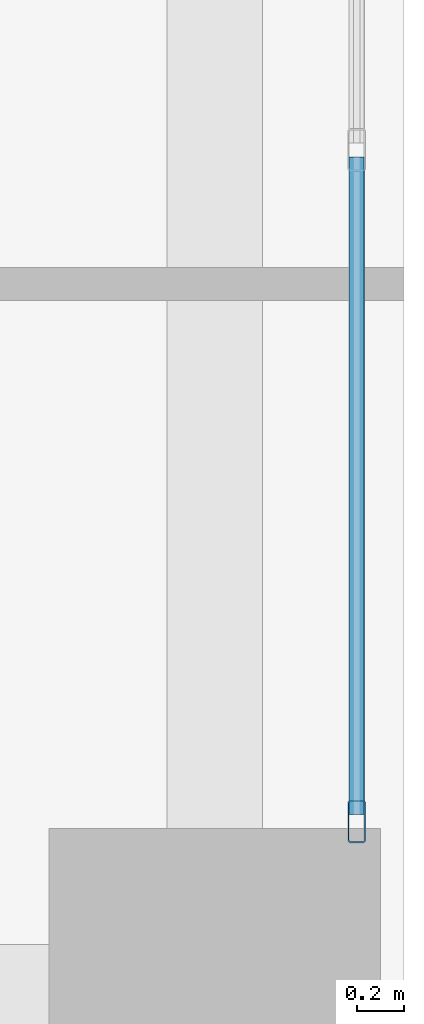
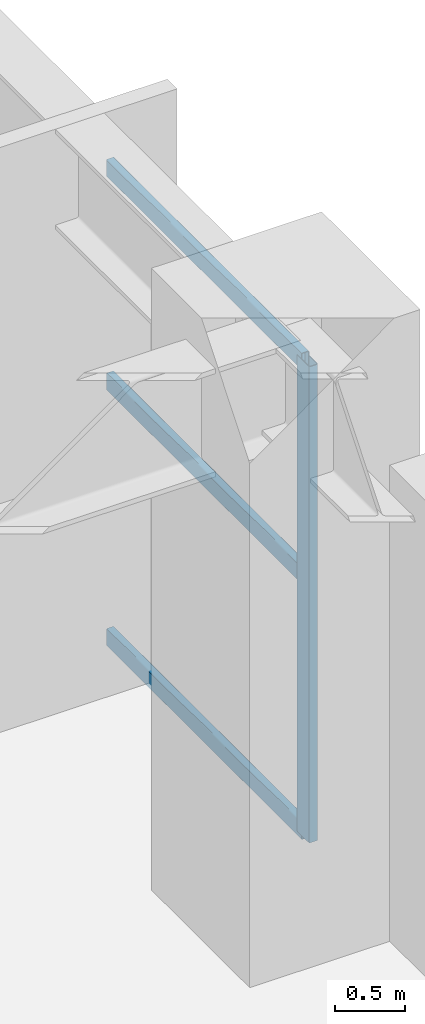
# One storey, part 13 of 28: 4 members, 1 element without a shape of its own.
"""IFC4 building model written with IfcOpenShell, lengths in metres."""

from ifc_helpers import new_model, si_unit, direction, frame, origin, origin_2d, place, context, subcontext, project, spatial, hollow_rectangle, extrude, material, layer, layer_set, material_profile, profile_set, type_object, element, aggregate, save


model = new_model("IFC4")

# Units and contexts
model_context = context("Model", 3, precision=1e-05, world=origin(), true_north=direction((0.0, 1.0)))
body_context = subcontext(model_context, "Body", "Model", "MODEL_VIEW")
ifc_project = project(units=[si_unit("LENGTHUNIT", "METRE"), si_unit("AREAUNIT", "SQUARE_METRE"), si_unit("VOLUMEUNIT", "CUBIC_METRE"), si_unit("PLANEANGLEUNIT", "RADIAN"), si_unit("MASSUNIT", "GRAM", prefix="KILO")], contexts=[model_context])

# Site, building, storey
site_placement = place(None, origin())
site = spatial("IfcSite", under=ifc_project, at=site_placement, CompositionType="ELEMENT")
building_placement = place(site_placement, origin())
building = spatial("IfcBuilding", under=site, at=building_placement, Name="Soratama Intermodal Tower", CompositionType="ELEMENT")
storey_placement = place(building_placement, frame((0.0, 0.0, 6.0)))
storey = spatial("IfcBuildingStorey", under=building, at=storey_placement, Name="L01", CompositionType="ELEMENT", Elevation=6.0)

# Curtain wall, members
ifc_material_1 = material(Name="Double-glazed aluminium curtain wall", Category="aluminium")
ifc_layer = layer(ifc_material_1, 0.159912109375)
ifc_layer_set = layer_set([ifc_layer], Name="Double-glazed aluminium curtain wall")
curtain_wall_type = type_object("IfcCurtainWallType", Name="CW-SYS-1", PredefinedType="NOTDEFINED", material=ifc_layer_set)
curtain_wall_placement = place(storey_placement, origin())
curtain_wall = element("IfcCurtainWall", 1, at=curtain_wall_placement, inside=storey, type_object=curtain_wall_type, Name="L01 Station Curtain Wall E1", PredefinedType="NOTDEFINED")
ifc_material_2 = material(Name="Anodised aluminium AA 6063-T6", Category="aluminium")
ifc_material_profile_1 = material_profile(ifc_material_2, hollow_rectangle(XDim=0.074951171875, YDim=0.179931640625, WallThickness=0.006103515625, InnerFilletRadius=0.006103515625, OuterFilletRadius=0.011962890625, at=origin_2d()), Name="CWM180X75X6")
ifc_profile_set_1 = profile_set([ifc_material_profile_1], Name="Anodised aluminium AA 6063-T6")
member_type_1 = type_object("IfcMemberType", Name="MT-CWM-1", PredefinedType="MULLION", material=ifc_profile_set_1)
member_1_placement = place(storey_placement, frame((83.800048828125, 15.72998046875, 0.0), z_axis=(0.0, 0.0, 1.0), x_axis=(-1.0, 0.0, 0.0)))
member_1 = element("IfcMember", 2, at=member_1_placement, type_object=member_type_1, Name="CW-1 mullion 1", PredefinedType="MULLION", context=body_context, shape_type="SweptSolid", body=[
    extrude(hollow_rectangle(XDim=0.074951171875, YDim=0.179931640625, WallThickness=0.006103515625, InnerFilletRadius=0.006103515625, OuterFilletRadius=0.011962890625, at=origin_2d()), origin(), (0.0, 0.0, 1.0), 4.135986328125),
])
ifc_material_3 = material(Name="Anodised aluminium AA 6063-T6", Category="aluminium")
ifc_material_profile_2 = material_profile(ifc_material_3, hollow_rectangle(XDim=0.06494140625, YDim=0.14990234375, WallThickness=0.0048828125, InnerFilletRadius=0.0048828125, OuterFilletRadius=0.010009765625, at=origin_2d()), Name="CWT150X65X5")
ifc_profile_set_2 = profile_set([ifc_material_profile_2], Name="Anodised aluminium AA 6063-T6")
member_type_2 = type_object("IfcMemberType", Name="TT-CWT-1", PredefinedType="USERDEFINED", material=ifc_profile_set_2)
member_2_placement = place(storey_placement, frame((83.800048828125, 15.760009765625, 0.030029296875), z_axis=(0.0, 1.0, 0.0), x_axis=(-1.0, 0.0, 0.0)))
member_2 = element("IfcMember", 3, at=member_2_placement, type_object=member_type_2, Name="CW-1 transom 1.1", ObjectType="TRANSOM", PredefinedType="USERDEFINED", context=body_context, shape_type="SweptSolid", body=[
    extrude(hollow_rectangle(XDim=0.06494140625, YDim=0.14990234375, WallThickness=0.0048828125, InnerFilletRadius=0.0048828125, OuterFilletRadius=0.010009765625, at=origin_2d()), origin(), (0.0, 0.0, 1.0), 2.776611328125),
])
member_3_placement = place(storey_placement, frame((83.800048828125, 15.760009765625, 2.25), z_axis=(0.0, 1.0, 0.0), x_axis=(-1.0, 0.0, 0.0)))
member_3 = element("IfcMember", 4, at=member_3_placement, type_object=member_type_2, Name="CW-1 transom 1.2", ObjectType="TRANSOM", PredefinedType="USERDEFINED", context=body_context, shape_type="SweptSolid", body=[
    extrude(hollow_rectangle(XDim=0.06494140625, YDim=0.14990234375, WallThickness=0.0048828125, InnerFilletRadius=0.0048828125, OuterFilletRadius=0.010009765625, at=origin_2d()), origin(), (0.0, 0.0, 1.0), 2.776611328125),
])
member_4_placement = place(storey_placement, frame((83.800048828125, 15.760009765625, 4.10595703125), z_axis=(0.0, 1.0, 0.0), x_axis=(-1.0, 0.0, 0.0)))
member_4 = element("IfcMember", 5, at=member_4_placement, type_object=member_type_2, Name="CW-1 transom 1.3", ObjectType="TRANSOM", PredefinedType="USERDEFINED", context=body_context, shape_type="SweptSolid", body=[
    extrude(hollow_rectangle(XDim=0.06494140625, YDim=0.14990234375, WallThickness=0.0048828125, InnerFilletRadius=0.0048828125, OuterFilletRadius=0.010009765625, at=origin_2d()), origin(), (0.0, 0.0, 1.0), 2.776611328125),
])
aggregate(curtain_wall, [member_1, member_2, member_3, member_4])

save(model, "model.ifc")
